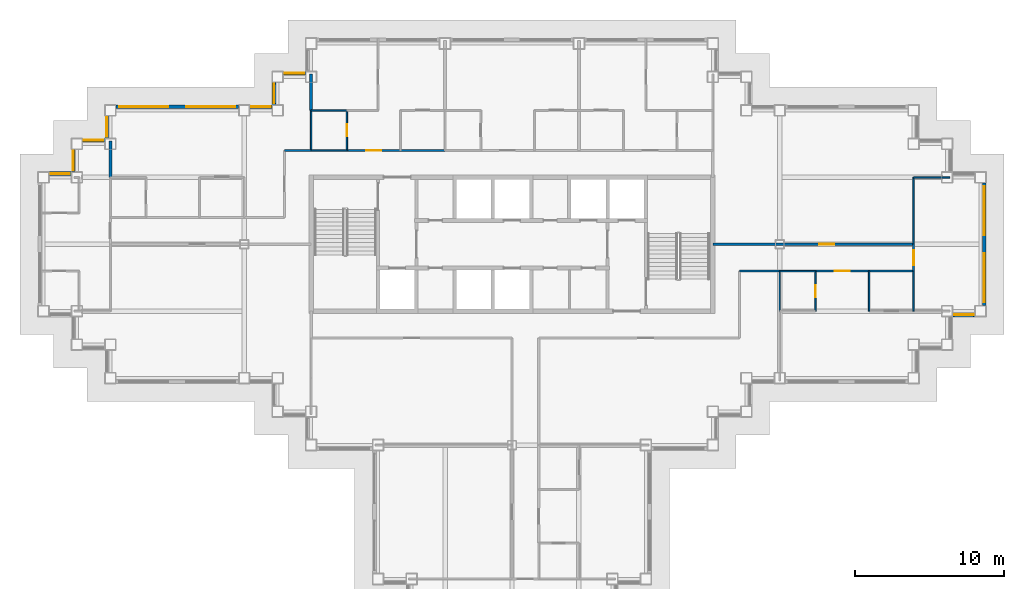
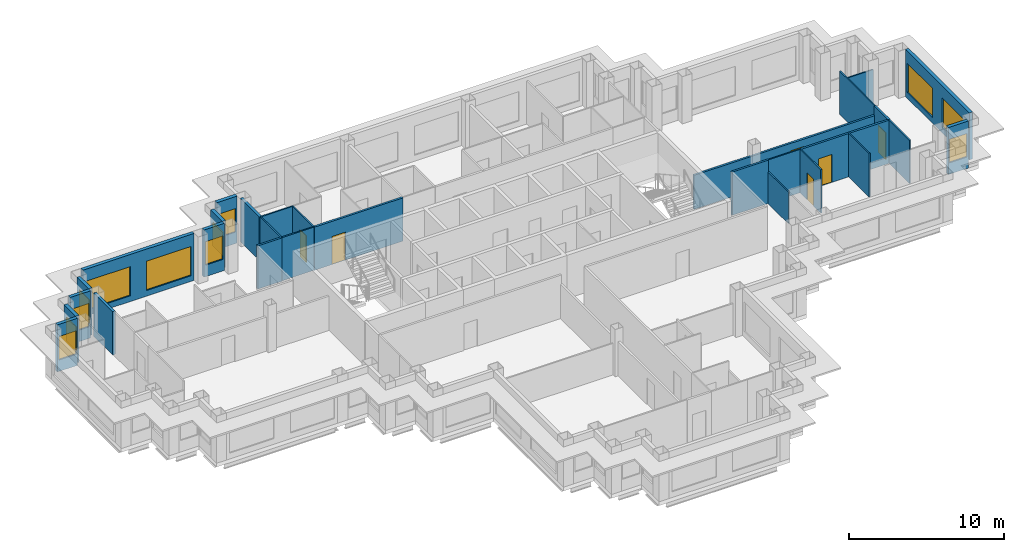
# One storey, part 7 of 13: 29 walls, 12 windows, 6 doors, 18 openings.
"""IFC4 building model written with IfcOpenShell, lengths in metres."""

from ifc_helpers import new_model, si_unit, direction, frame, frame_2d, origin, place, context, subcontext, project, spatial, rectangle, extrude, material, layer, layer_set, type_object, element, fill, save


model = new_model("IFC4")

# Units and contexts
model_context = context("Model", 3, precision=1e-05, world=origin(), true_north=direction((0.0, 1.0)))
body_context = subcontext(model_context, "Body", "Model", "MODEL_VIEW")
ifc_project = project(units=[si_unit("LENGTHUNIT", "METRE"), si_unit("AREAUNIT", "SQUARE_METRE"), si_unit("VOLUMEUNIT", "CUBIC_METRE"), si_unit("PLANEANGLEUNIT", "RADIAN"), si_unit("MASSUNIT", "GRAM", prefix="KILO")], contexts=[model_context])

# Site, building, storey
site_placement = place(None, origin())
site = spatial("IfcSite", under=ifc_project, at=site_placement, CompositionType="ELEMENT")
building_placement = place(site_placement, origin())
building = spatial("IfcBuilding", under=site, at=building_placement, Name="Caravel Reach Hotel and Residences", CompositionType="ELEMENT")
storey_placement = place(building_placement, frame((0.0, 0.0, 180.199951171875)))
storey = spatial("IfcBuildingStorey", under=building, at=storey_placement, Name="L45", CompositionType="ELEMENT", Elevation=180.199951171875)

# Walls
ifc_material_1 = material(Name="Gypsum board on steel stud", Category="steel")
ifc_layer_1 = layer(ifc_material_1, 0.10009765625)
ifc_layer_set_1 = layer_set([ifc_layer_1], Name="Bathroom pod wall 100 mm")
wall_type_1 = type_object("IfcWallType", Name="Bathroom pod wall 100 mm", PredefinedType="PARTITIONING", material=ifc_layer_set_1)
for number, where, z_axis, x_axis, name in (
    (1, (49.5, 25.199951171875, 0.0), (0.0, 0.0, 1.0), (1.0, 0.0, 0.0), "L45 wall w073"),
    (2, (18.0, 33.300048828125, 0.0), (0.0, 0.0, 1.0), (1.0, 0.0, 0.0), "L45 wall w077"),
    (3, (18.0, 36.0, 0.0), (0.0, 0.0, 1.0), (1.0, 0.0, 0.0), "L45 wall w080"),
):
    element("IfcWall", number, at=place(storey_placement, frame(where, z_axis=z_axis, x_axis=x_axis)), inside=storey, type_object=wall_type_1, Name=name, PredefinedType="PARTITIONING", context=body_context, shape_type="SweptSolid", body=[
        extrude(rectangle(XDim=2.39990234375, YDim=0.10009765625, at=frame_2d((1.199951171875, 0.0))), origin(), (0.0, 0.0, 1.0), 3.400146484375),
    ])
wall_1_placement = place(storey_placement, frame((18.0, 33.301025390625, 0.0), z_axis=(0.0, 0.0, 1.0), x_axis=(0.0, 1.0, 0.0)))
element("IfcWall", 4, at=wall_1_placement, inside=storey, type_object=wall_type_1, Name="L45 wall w085", PredefinedType="PARTITIONING", context=body_context, shape_type="SweptSolid", body=[
    extrude(rectangle(XDim=2.698974609375, YDim=0.10009765625, at=frame_2d((1.349609375, 0.0))), origin(), (0.0, 0.0, 1.0), 3.400146484375),
])

# Wall, opening, door
wall_2_placement = place(storey_placement, frame((20.39990234375, 33.300048828125, 0.0), z_axis=(0.0, 0.0, 1.0), x_axis=(0.0, 1.0, 0.0)))
wall_2 = element("IfcWall", 5, at=wall_2_placement, inside=storey, type_object=wall_type_1, Name="L45 wall w087", PredefinedType="PARTITIONING", context=body_context, shape_type="SweptSolid", body=[
    extrude(rectangle(XDim=2.699951171875, YDim=0.10009765625, at=frame_2d((1.35009765625, 0.0))), origin(), (0.0, 0.0, 1.0), 3.400146484375),
])
opening_1_placement = place(wall_2_placement, frame((0.949951171875, 0.0, 0.0)))
opening_1 = element("IfcOpeningElement", 6, at=opening_1_placement, cuts=wall_2, Name="Opening D45-018", PredefinedType="OPENING", context=body_context, shape_type="SweptSolid", body=[
    extrude(rectangle(XDim=0.800048828125, YDim=2.10009765625, at=frame_2d((0.39990234375, 1.050048828125))), frame((0.0, 0.06005859375, 0.0), z_axis=(0.0, -1.0, 0.0), x_axis=(1.0, 0.0, 0.0)), (0.0, 0.0, 1.0), 0.1201171875),
])
ifc_material_2 = material(Name="Timber and steel door leaf", Category="steel")
door_type_1 = type_object("IfcDoorType", Name="Bathroom door 800 x 2100", OperationType="SINGLE_SWING_LEFT", PredefinedType="DOOR", material=ifc_material_2)
door_1_placement = place(opening_1_placement, origin())
door_1 = element("IfcDoor", 7, at=door_1_placement, inside=storey, type_object=door_type_1, Name="door D45-018", OperationType="SINGLE_SWING_LEFT", OverallHeight=2.10009765625, OverallWidth=0.800048828125, PredefinedType="DOOR", context=body_context, shape_type="SweptSolid", body=[
    extrude(rectangle(XDim=0.800048828125, YDim=2.10009765625, at=frame_2d((0.39990234375, 1.050048828125))), frame((0.0, 0.02490234375, 0.0), z_axis=(0.0, -1.0, 0.0), x_axis=(1.0, 0.0, 0.0)), (0.0, 0.0, 1.0), 0.050048828125),
])
fill(opening_1, door_1)

# Wall
wall_3_placement = place(storey_placement, frame((49.5, 22.5, 0.0), z_axis=(0.0, 0.0, 1.0), x_axis=(0.0, 1.0, 0.0)))
element("IfcWall", 8, at=wall_3_placement, inside=storey, type_object=wall_type_1, Name="L45 wall w095", PredefinedType="PARTITIONING", context=body_context, shape_type="SweptSolid", body=[
    extrude(rectangle(XDim=2.698974609375, YDim=0.10009765625, at=frame_2d((1.349609375, 0.0))), origin(), (0.0, 0.0, 1.0), 2.47998046875),
])

# Wall, opening, door
wall_4_placement = place(storey_placement, frame((51.89990234375, 22.5, 0.0), z_axis=(0.0, 0.0, 1.0), x_axis=(0.0, 1.0, 0.0)))
wall_4 = element("IfcWall", 9, at=wall_4_placement, inside=storey, type_object=wall_type_1, Name="L45 wall w096", PredefinedType="PARTITIONING", context=body_context, shape_type="SweptSolid", body=[
    extrude(rectangle(XDim=2.699951171875, YDim=0.10009765625, at=frame_2d((1.35009765625, 0.0))), origin(), (0.0, 0.0, 1.0), 3.400146484375),
])
opening_2_placement = place(wall_4_placement, frame((0.949951171875, 0.0, 0.0)))
opening_2 = element("IfcOpeningElement", 10, at=opening_2_placement, cuts=wall_4, Name="Opening D45-034", PredefinedType="OPENING", context=body_context, shape_type="SweptSolid", body=[
    extrude(rectangle(XDim=0.800048828125, YDim=2.10009765625, at=frame_2d((0.39990234375, 1.050048828125))), frame((0.0, 0.06005859375, 0.0), z_axis=(0.0, -1.0, 0.0), x_axis=(1.0, 0.0, 0.0)), (0.0, 0.0, 1.0), 0.1201171875),
])
door_2_placement = place(opening_2_placement, origin())
door_2 = element("IfcDoor", 11, at=door_2_placement, inside=storey, type_object=door_type_1, Name="door D45-034", OperationType="SINGLE_SWING_LEFT", OverallHeight=2.10009765625, OverallWidth=0.800048828125, PredefinedType="DOOR", context=body_context, shape_type="SweptSolid", body=[
    extrude(rectangle(XDim=0.800048828125, YDim=2.10009765625, at=frame_2d((0.39990234375, 1.050048828125))), frame((0.0, 0.02490234375, 0.0), z_axis=(0.0, -1.0, 0.0), x_axis=(1.0, 0.0, 0.0)), (0.0, 0.0, 1.0), 0.050048828125),
])
fill(opening_2, door_2)

ifc_material_3 = material(Name="Gypsum board on steel stud, fire-rated", Category="steel")
ifc_layer_2 = layer(ifc_material_3, 0.14990234375)
ifc_layer_set_2 = layer_set([ifc_layer_2], Name="Corridor wall 150 mm EI 60")
wall_type_2 = type_object("IfcWallType", Name="Corridor wall 150 mm EI 60", PredefinedType="PARTITIONING", material=ifc_layer_set_2)
wall_5_placement = place(storey_placement, frame((51.89990234375, 25.199951171875, 0.0), z_axis=(0.0, 0.0, 1.0), x_axis=(1.0, 0.0, 0.0)))
wall_5 = element("IfcWall", 12, at=wall_5_placement, inside=storey, type_object=wall_type_2, Name="L45 wall w005", PredefinedType="PARTITIONING", context=body_context, shape_type="SweptSolid", body=[
    extrude(rectangle(XDim=6.60009765625, YDim=0.14990234375, at=frame_2d((3.300048828125, 0.0))), origin(), (0.0, 0.0, 1.0), 3.400146484375),
])
opening_3_placement = place(wall_5_placement, frame((1.300048828125, 0.0, 0.0)))
opening_3 = element("IfcOpeningElement", 13, at=opening_3_placement, cuts=wall_5, Name="Opening D45-033", PredefinedType="OPENING", context=body_context, shape_type="SweptSolid", body=[
    extrude(rectangle(XDim=1.0, YDim=2.199951171875, at=frame_2d((0.5, 1.10009765625))), frame((0.0, 0.0849609375, 0.0), z_axis=(0.0, -1.0, 0.0), x_axis=(1.0, 0.0, 0.0)), (0.0, 0.0, 1.0), 0.169921875),
])
ifc_material_4 = material(Name="Steel fire door leaf", Category="steel")
door_type_2 = type_object("IfcDoorType", Name="Flat entrance door 1000 x 2200 EI 60", OperationType="SINGLE_SWING_LEFT", PredefinedType="DOOR", material=ifc_material_4)
door_3_placement = place(opening_3_placement, origin())
door_3 = element("IfcDoor", 14, at=door_3_placement, inside=storey, type_object=door_type_2, Name="door D45-033", OperationType="SINGLE_SWING_LEFT", OverallHeight=2.199951171875, OverallWidth=1.0, PredefinedType="DOOR", context=body_context, shape_type="SweptSolid", body=[
    extrude(rectangle(XDim=1.0, YDim=2.199951171875, at=frame_2d((0.5, 1.10009765625))), frame((0.0, 0.02490234375, 0.0), z_axis=(0.0, -1.0, 0.0), x_axis=(1.0, 0.0, 0.0)), (0.0, 0.0, 1.0), 0.050048828125),
])
fill(opening_3, door_3)

# Wall
wall_6_placement = place(storey_placement, frame((46.801025390625, 25.199951171875, 0.0), z_axis=(0.0, 0.0, 1.0), x_axis=(1.0, 0.0, 0.0)))
element("IfcWall", 15, at=wall_6_placement, inside=storey, type_object=wall_type_2, Name="L45 wall w007", PredefinedType="PARTITIONING", context=body_context, shape_type="SweptSolid", body=[
    extrude(rectangle(XDim=2.697998046875, YDim=0.14990234375, at=frame_2d((1.34912109375, 0.0))), origin(), (0.0, 0.0, 1.0), 3.400146484375),
])

# Wall, opening, door
wall_7_placement = place(storey_placement, frame((45.0, 27.0, 0.0), z_axis=(0.0, 0.0, 1.0), x_axis=(1.0, 0.0, 0.0)))
wall_7 = element("IfcWall", 16, at=wall_7_placement, inside=storey, type_object=wall_type_2, Name="L45 wall w009", PredefinedType="PARTITIONING", context=body_context, shape_type="SweptSolid", body=[
    extrude(rectangle(XDim=13.5, YDim=0.14990234375, at=frame_2d((6.75, 0.0))), origin(), (0.0, 0.0, 1.0), 2.679931640625),
])
opening_4_placement = place(wall_7_placement, frame((7.14990234375, 0.0, 0.0)))
opening_4 = element("IfcOpeningElement", 17, at=opening_4_placement, cuts=wall_7, Name="Opening D45-032", PredefinedType="OPENING", context=body_context, shape_type="SweptSolid", body=[
    extrude(rectangle(XDim=1.0, YDim=2.10009765625, at=frame_2d((0.5, 1.050048828125))), frame((0.0, 0.0849609375, 0.0), z_axis=(0.0, -1.0, 0.0), x_axis=(1.0, 0.0, 0.0)), (0.0, 0.0, 1.0), 0.169921875),
])
ifc_material_5 = material(Name="Steel fire door leaf", Category="steel")
door_type_3 = type_object("IfcDoorType", Name="Fire door 1000 x 2100 EI 60", OperationType="SINGLE_SWING_LEFT", PredefinedType="DOOR", material=ifc_material_5)
door_4_placement = place(opening_4_placement, origin())
door_4 = element("IfcDoor", 18, at=door_4_placement, inside=storey, type_object=door_type_3, Name="door D45-032", OperationType="SINGLE_SWING_RIGHT", OverallHeight=2.10009765625, OverallWidth=1.0, PredefinedType="DOOR", context=body_context, shape_type="SweptSolid", body=[
    extrude(rectangle(XDim=1.0, YDim=2.10009765625, at=frame_2d((0.5, 1.050048828125))), frame((0.0, 0.02490234375, 0.0), z_axis=(0.0, -1.0, 0.0), x_axis=(1.0, 0.0, 0.0)), (0.0, 0.0, 1.0), 0.050048828125),
])
fill(opening_4, door_4)

wall_8_placement = place(storey_placement, frame((20.39990234375, 33.300048828125, 0.0), z_axis=(0.0, 0.0, 1.0), x_axis=(1.0, 0.0, 0.0)))
wall_8 = element("IfcWall", 19, at=wall_8_placement, inside=storey, type_object=wall_type_2, Name="L45 wall w013", PredefinedType="PARTITIONING", context=body_context, shape_type="SweptSolid", body=[
    extrude(rectangle(XDim=6.60009765625, YDim=0.14990234375, at=frame_2d((3.300048828125, 0.0))), origin(), (0.0, 0.0, 1.0), 3.400146484375),
])
opening_5_placement = place(wall_8_placement, frame((1.300048828125, 0.0, 0.0)))
opening_5 = element("IfcOpeningElement", 20, at=opening_5_placement, cuts=wall_8, Name="Opening D45-017", PredefinedType="OPENING", context=body_context, shape_type="SweptSolid", body=[
    extrude(rectangle(XDim=1.0, YDim=2.199951171875, at=frame_2d((0.5, 1.10009765625))), frame((0.0, 0.0849609375, 0.0), z_axis=(0.0, -1.0, 0.0), x_axis=(1.0, 0.0, 0.0)), (0.0, 0.0, 1.0), 0.169921875),
])
door_5_placement = place(opening_5_placement, origin())
door_5 = element("IfcDoor", 21, at=door_5_placement, inside=storey, type_object=door_type_2, Name="door D45-017", OperationType="SINGLE_SWING_RIGHT", OverallHeight=2.199951171875, OverallWidth=1.0, PredefinedType="DOOR", context=body_context, shape_type="SweptSolid", body=[
    extrude(rectangle(XDim=1.0, YDim=2.199951171875, at=frame_2d((0.5, 1.10009765625))), frame((0.0, 0.02490234375, 0.0), z_axis=(0.0, -1.0, 0.0), x_axis=(1.0, 0.0, 0.0)), (0.0, 0.0, 1.0), 0.050048828125),
])
fill(opening_5, door_5)

# Wall
wall_9_placement = place(storey_placement, frame((16.199951171875, 33.300048828125, 0.0), z_axis=(0.0, 0.0, 1.0), x_axis=(1.0, 0.0, 0.0)))
element("IfcWall", 22, at=wall_9_placement, inside=storey, type_object=wall_type_2, Name="L45 wall w019", PredefinedType="PARTITIONING", context=body_context, shape_type="SweptSolid", body=[
    extrude(rectangle(XDim=1.799072265625, YDim=0.14990234375, at=frame_2d((0.8994140625, 0.0))), origin(), (0.0, 0.0, 1.0), 3.400146484375),
])

# Wall, opening, door
wall_10_placement = place(storey_placement, frame((58.5, 25.199951171875, 0.0), z_axis=(0.0, 0.0, 1.0), x_axis=(0.0, 1.0, 0.0)))
wall_10 = element("IfcWall", 23, at=wall_10_placement, inside=storey, type_object=wall_type_2, Name="L45 wall w031", PredefinedType="PARTITIONING", context=body_context, shape_type="SweptSolid", body=[
    extrude(rectangle(XDim=1.800048828125, YDim=0.14990234375, at=frame_2d((0.89990234375, 0.0))), origin(), (0.0, 0.0, 1.0), 3.400146484375),
])
opening_6_placement = place(wall_10_placement, frame((0.39990234375, 0.0, 0.0)))
opening_6 = element("IfcOpeningElement", 24, at=opening_6_placement, cuts=wall_10, Name="Opening D45-045", PredefinedType="OPENING", context=body_context, shape_type="SweptSolid", body=[
    extrude(rectangle(XDim=1.0, YDim=2.10009765625, at=frame_2d((0.5, 1.050048828125))), frame((0.0, 0.0849609375, 0.0), z_axis=(0.0, -1.0, 0.0), x_axis=(1.0, 0.0, 0.0)), (0.0, 0.0, 1.0), 0.169921875),
])
door_6_placement = place(opening_6_placement, origin())
door_6 = element("IfcDoor", 25, at=door_6_placement, inside=storey, type_object=door_type_3, Name="door D45-045", OperationType="SINGLE_SWING_RIGHT", OverallHeight=2.10009765625, OverallWidth=1.0, PredefinedType="DOOR", context=body_context, shape_type="SweptSolid", body=[
    extrude(rectangle(XDim=1.0, YDim=2.10009765625, at=frame_2d((0.5, 1.050048828125))), frame((0.0, 0.02490234375, 0.0), z_axis=(0.0, -1.0, 0.0), x_axis=(1.0, 0.0, 0.0)), (0.0, 0.0, 1.0), 0.050048828125),
])
fill(opening_6, door_6)

# Wall, opening, window
ifc_material_6 = material(Name="Insulated rainscreen wall, aluminium cladding", Category="aluminium")
ifc_layer_3 = layer(ifc_material_6, 0.25)
ifc_layer_set_3 = layer_set([ifc_layer_3], Name="EW1 Tower rainscreen wall")
wall_type_3 = type_object("IfcWallType", Name="EW1 Tower rainscreen wall", PredefinedType="SOLIDWALL", material=ifc_layer_set_3)
wall_11_placement = place(storey_placement, frame((61.125, 22.25, 0.0), z_axis=(0.0, 0.0, 1.0), x_axis=(1.0, 0.0, 0.0)))
wall_11 = element("IfcWall", 26, at=wall_11_placement, inside=storey, type_object=wall_type_3, Name="External wall L45 S19.1", PredefinedType="SOLIDWALL", context=body_context, shape_type="SweptSolid", body=[
    extrude(rectangle(XDim=1.5, YDim=0.25, at=frame_2d((0.75, 0.0))), origin(), (0.0, 0.0, 1.0), 3.699951171875),
])
opening_7_placement = place(wall_11_placement, frame((0.10009765625, 0.0, 0.89990234375)))
opening_7 = element("IfcOpeningElement", 27, at=opening_7_placement, cuts=wall_11, Name="Opening WN16", PredefinedType="OPENING", context=body_context, shape_type="SweptSolid", body=[
    extrude(rectangle(XDim=1.300048828125, YDim=1.85009765625, at=frame_2d((0.64990234375, 0.925048828125))), frame((0.0, 0.135009765625, 0.0), z_axis=(0.0, -1.0, 0.0), x_axis=(1.0, 0.0, 0.0)), (0.0, 0.0, 1.0), 0.27001953125),
])
ifc_material_7 = material(Name="Dark low-e glazing in black aluminium frame", Category="aluminium")
window_type_1 = type_object("IfcWindowType", Name="Residence bedroom window 1300 x 1850", PartitioningType="SINGLE_PANEL", PredefinedType="WINDOW", material=ifc_material_7)
window_1_placement = place(opening_7_placement, origin())
window_1 = element("IfcWindow", 28, at=window_1_placement, inside=storey, type_object=window_type_1, Name="Window L45 S19.1.1", OverallHeight=1.85009765625, OverallWidth=1.300048828125, PartitioningType="SINGLE_PANEL", PredefinedType="WINDOW", context=body_context, shape_type="SweptSolid", body=[
    extrude(rectangle(XDim=1.300048828125, YDim=1.85009765625, at=frame_2d((0.64990234375, 0.925048828125))), frame((0.0, 0.030029296875, 0.0), z_axis=(0.0, -1.0, 0.0), x_axis=(1.0, 0.0, 0.0)), (0.0, 0.0, 1.0), 0.06005859375),
])
fill(opening_7, window_1)

# Wall, openings, windows
wall_12_placement = place(storey_placement, frame((63.25, 22.875, 0.0), z_axis=(0.0, 0.0, 1.0), x_axis=(0.0, 1.0, 0.0)))
wall_12 = element("IfcWall", 29, at=wall_12_placement, inside=storey, type_object=wall_type_3, Name="External wall L45 E20.1", PredefinedType="SOLIDWALL", context=body_context, shape_type="SweptSolid", body=[
    extrude(rectangle(XDim=8.25, YDim=0.25, at=frame_2d((4.125, 0.0))), origin(), (0.0, 0.0, 1.0), 3.699951171875),
])
opening_8_placement = place(wall_12_placement, frame((0.22509765625, 0.0, 0.449951171875)))
opening_8 = element("IfcOpeningElement", 30, at=opening_8_placement, cuts=wall_12, Name="Opening WN15", PredefinedType="OPENING", context=body_context, shape_type="SweptSolid", body=[
    extrude(rectangle(XDim=3.300048828125, YDim=2.300048828125, at=frame_2d((1.64990234375, 1.14990234375))), frame((0.0, 0.135009765625, 0.0), z_axis=(0.0, -1.0, 0.0), x_axis=(1.0, 0.0, 0.0)), (0.0, 0.0, 1.0), 0.27001953125),
])
opening_9_placement = place(wall_12_placement, frame((4.72509765625, 0.0, 0.449951171875)))
opening_9 = element("IfcOpeningElement", 31, at=opening_9_placement, cuts=wall_12, Name="Opening WN15", PredefinedType="OPENING", context=body_context, shape_type="SweptSolid", body=[
    extrude(rectangle(XDim=3.300048828125, YDim=2.300048828125, at=frame_2d((1.64990234375, 1.14990234375))), frame((0.0, 0.135009765625, 0.0), z_axis=(0.0, -1.0, 0.0), x_axis=(1.0, 0.0, 0.0)), (0.0, 0.0, 1.0), 0.27001953125),
])
ifc_material_8 = material(Name="Dark low-e glazing in black aluminium frame", Category="aluminium")
window_type_2 = type_object("IfcWindowType", Name="Residence living window 3300 x 2300", PartitioningType="SINGLE_PANEL", PredefinedType="WINDOW", material=ifc_material_8)
window_2_placement = place(opening_8_placement, origin())
window_2 = element("IfcWindow", 32, at=window_2_placement, inside=storey, type_object=window_type_2, Name="Window L45 E20.1.1", OverallHeight=2.300048828125, OverallWidth=3.300048828125, PartitioningType="SINGLE_PANEL", PredefinedType="WINDOW", context=body_context, shape_type="SweptSolid", body=[
    extrude(rectangle(XDim=3.300048828125, YDim=2.300048828125, at=frame_2d((1.64990234375, 1.14990234375))), frame((0.0, 0.030029296875, 0.0), z_axis=(0.0, -1.0, 0.0), x_axis=(1.0, 0.0, 0.0)), (0.0, 0.0, 1.0), 0.06005859375),
])
fill(opening_8, window_2)
window_3_placement = place(opening_9_placement, origin())
window_3 = element("IfcWindow", 33, at=window_3_placement, inside=storey, type_object=window_type_2, Name="Window L45 E20.1.2", OverallHeight=2.300048828125, OverallWidth=3.300048828125, PartitioningType="SINGLE_PANEL", PredefinedType="WINDOW", context=body_context, shape_type="SweptSolid", body=[
    extrude(rectangle(XDim=3.300048828125, YDim=2.300048828125, at=frame_2d((1.64990234375, 1.14990234375))), frame((0.0, 0.030029296875, 0.0), z_axis=(0.0, -1.0, 0.0), x_axis=(1.0, 0.0, 0.0)), (0.0, 0.0, 1.0), 0.06005859375),
])
fill(opening_9, window_3)

# Wall, opening, window
wall_13_placement = place(storey_placement, frame((17.625, 38.5, 0.0), z_axis=(0.0, 0.0, 1.0), x_axis=(-1.0, 0.0, 0.0)))
wall_13 = element("IfcWall", 34, at=wall_13_placement, inside=storey, type_object=wall_type_3, Name="External wall L45 N31.1", PredefinedType="SOLIDWALL", context=body_context, shape_type="SweptSolid", body=[
    extrude(rectangle(XDim=1.5, YDim=0.25, at=frame_2d((0.75, 0.0))), origin(), (0.0, 0.0, 1.0), 3.699951171875),
])
opening_10_placement = place(wall_13_placement, frame((0.10009765625, 0.0, 0.89990234375)))
opening_10 = element("IfcOpeningElement", 35, at=opening_10_placement, cuts=wall_13, Name="Opening WN16", PredefinedType="OPENING", context=body_context, shape_type="SweptSolid", body=[
    extrude(rectangle(XDim=1.300048828125, YDim=1.85009765625, at=frame_2d((0.64990234375, 0.925048828125))), frame((0.0, 0.135009765625, 0.0), z_axis=(0.0, -1.0, 0.0), x_axis=(1.0, 0.0, 0.0)), (0.0, 0.0, 1.0), 0.27001953125),
])
window_4_placement = place(opening_10_placement, origin())
window_4 = element("IfcWindow", 36, at=window_4_placement, inside=storey, type_object=window_type_1, Name="Window L45 N31.1.1", OverallHeight=1.85009765625, OverallWidth=1.300048828125, PartitioningType="SINGLE_PANEL", PredefinedType="WINDOW", context=body_context, shape_type="SweptSolid", body=[
    extrude(rectangle(XDim=1.300048828125, YDim=1.85009765625, at=frame_2d((0.64990234375, 0.925048828125))), frame((0.0, 0.030029296875, 0.0), z_axis=(0.0, -1.0, 0.0), x_axis=(1.0, 0.0, 0.0)), (0.0, 0.0, 1.0), 0.06005859375),
])
fill(opening_10, window_4)

wall_14_placement = place(storey_placement, frame((15.5, 37.875, 0.0), z_axis=(0.0, 0.0, 1.0), x_axis=(0.0, -1.0, 0.0)))
wall_14 = element("IfcWall", 37, at=wall_14_placement, inside=storey, type_object=wall_type_3, Name="External wall L45 W32.1", PredefinedType="SOLIDWALL", context=body_context, shape_type="SweptSolid", body=[
    extrude(rectangle(XDim=1.5, YDim=0.25, at=frame_2d((0.75, 0.0))), origin(), (0.0, 0.0, 1.0), 3.699951171875),
])
opening_11_placement = place(wall_14_placement, frame((0.10009765625, 0.0, 0.89990234375)))
opening_11 = element("IfcOpeningElement", 38, at=opening_11_placement, cuts=wall_14, Name="Opening WN16", PredefinedType="OPENING", context=body_context, shape_type="SweptSolid", body=[
    extrude(rectangle(XDim=1.300048828125, YDim=1.85009765625, at=frame_2d((0.64990234375, 0.925048828125))), frame((0.0, 0.135009765625, 0.0), z_axis=(0.0, -1.0, 0.0), x_axis=(1.0, 0.0, 0.0)), (0.0, 0.0, 1.0), 0.27001953125),
])
window_5_placement = place(opening_11_placement, origin())
window_5 = element("IfcWindow", 39, at=window_5_placement, inside=storey, type_object=window_type_1, Name="Window L45 W32.1.1", OverallHeight=1.85009765625, OverallWidth=1.300048828125, PartitioningType="SINGLE_PANEL", PredefinedType="WINDOW", context=body_context, shape_type="SweptSolid", body=[
    extrude(rectangle(XDim=1.300048828125, YDim=1.85009765625, at=frame_2d((0.64990234375, 0.925048828125))), frame((0.0, 0.030029296875, 0.0), z_axis=(0.0, -1.0, 0.0), x_axis=(1.0, 0.0, 0.0)), (0.0, 0.0, 1.0), 0.06005859375),
])
fill(opening_11, window_5)

wall_15_placement = place(storey_placement, frame((15.375, 36.25, 0.0), z_axis=(0.0, 0.0, 1.0), x_axis=(-1.0, 0.0, 0.0)))
wall_15 = element("IfcWall", 40, at=wall_15_placement, inside=storey, type_object=wall_type_3, Name="External wall L45 N33.1", PredefinedType="SOLIDWALL", context=body_context, shape_type="SweptSolid", body=[
    extrude(rectangle(XDim=1.5, YDim=0.25, at=frame_2d((0.75, 0.0))), origin(), (0.0, 0.0, 1.0), 3.699951171875),
])
opening_12_placement = place(wall_15_placement, frame((0.10009765625, 0.0, 0.89990234375)))
opening_12 = element("IfcOpeningElement", 41, at=opening_12_placement, cuts=wall_15, Name="Opening WN16", PredefinedType="OPENING", context=body_context, shape_type="SweptSolid", body=[
    extrude(rectangle(XDim=1.300048828125, YDim=1.85009765625, at=frame_2d((0.64990234375, 0.925048828125))), frame((0.0, 0.135009765625, 0.0), z_axis=(0.0, -1.0, 0.0), x_axis=(1.0, 0.0, 0.0)), (0.0, 0.0, 1.0), 0.27001953125),
])
window_6_placement = place(opening_12_placement, origin())
window_6 = element("IfcWindow", 42, at=window_6_placement, inside=storey, type_object=window_type_1, Name="Window L45 N33.1.1", OverallHeight=1.85009765625, OverallWidth=1.300048828125, PartitioningType="SINGLE_PANEL", PredefinedType="WINDOW", context=body_context, shape_type="SweptSolid", body=[
    extrude(rectangle(XDim=1.300048828125, YDim=1.85009765625, at=frame_2d((0.64990234375, 0.925048828125))), frame((0.0, 0.030029296875, 0.0), z_axis=(0.0, -1.0, 0.0), x_axis=(1.0, 0.0, 0.0)), (0.0, 0.0, 1.0), 0.06005859375),
])
fill(opening_12, window_6)

# Wall, openings, windows
wall_16_placement = place(storey_placement, frame((13.125, 36.25, 0.0), z_axis=(0.0, 0.0, 1.0), x_axis=(-1.0, 0.0, 0.0)))
wall_16 = element("IfcWall", 43, at=wall_16_placement, inside=storey, type_object=wall_type_3, Name="External wall L45 N33.2", PredefinedType="SOLIDWALL", context=body_context, shape_type="SweptSolid", body=[
    extrude(rectangle(XDim=8.25, YDim=0.25, at=frame_2d((4.125, 0.0))), origin(), (0.0, 0.0, 1.0), 3.699951171875),
])
opening_13_placement = place(wall_16_placement, frame((0.22509765625, 0.0, 0.449951171875)))
opening_13 = element("IfcOpeningElement", 44, at=opening_13_placement, cuts=wall_16, Name="Opening WN15", PredefinedType="OPENING", context=body_context, shape_type="SweptSolid", body=[
    extrude(rectangle(XDim=3.300048828125, YDim=2.300048828125, at=frame_2d((1.64990234375, 1.14990234375))), frame((0.0, 0.135009765625, 0.0), z_axis=(0.0, -1.0, 0.0), x_axis=(1.0, 0.0, 0.0)), (0.0, 0.0, 1.0), 0.27001953125),
])
opening_14_placement = place(wall_16_placement, frame((4.72509765625, 0.0, 0.449951171875)))
opening_14 = element("IfcOpeningElement", 45, at=opening_14_placement, cuts=wall_16, Name="Opening WN15", PredefinedType="OPENING", context=body_context, shape_type="SweptSolid", body=[
    extrude(rectangle(XDim=3.300048828125, YDim=2.300048828125, at=frame_2d((1.64990234375, 1.14990234375))), frame((0.0, 0.135009765625, 0.0), z_axis=(0.0, -1.0, 0.0), x_axis=(1.0, 0.0, 0.0)), (0.0, 0.0, 1.0), 0.27001953125),
])
window_7_placement = place(opening_13_placement, origin())
window_7 = element("IfcWindow", 46, at=window_7_placement, inside=storey, type_object=window_type_2, Name="Window L45 N33.2.1", OverallHeight=2.300048828125, OverallWidth=3.300048828125, PartitioningType="SINGLE_PANEL", PredefinedType="WINDOW", context=body_context, shape_type="SweptSolid", body=[
    extrude(rectangle(XDim=3.300048828125, YDim=2.300048828125, at=frame_2d((1.64990234375, 1.14990234375))), frame((0.0, 0.030029296875, 0.0), z_axis=(0.0, -1.0, 0.0), x_axis=(1.0, 0.0, 0.0)), (0.0, 0.0, 1.0), 0.06005859375),
])
fill(opening_13, window_7)
window_8_placement = place(opening_14_placement, origin())
window_8 = element("IfcWindow", 47, at=window_8_placement, inside=storey, type_object=window_type_2, Name="Window L45 N33.2.2", OverallHeight=2.300048828125, OverallWidth=3.300048828125, PartitioningType="SINGLE_PANEL", PredefinedType="WINDOW", context=body_context, shape_type="SweptSolid", body=[
    extrude(rectangle(XDim=3.300048828125, YDim=2.300048828125, at=frame_2d((1.64990234375, 1.14990234375))), frame((0.0, 0.030029296875, 0.0), z_axis=(0.0, -1.0, 0.0), x_axis=(1.0, 0.0, 0.0)), (0.0, 0.0, 1.0), 0.06005859375),
])
fill(opening_14, window_8)

# Wall, opening, window
wall_17_placement = place(storey_placement, frame((4.25, 35.625, 0.0), z_axis=(0.0, 0.0, 1.0), x_axis=(0.0, -1.0, 0.0)))
wall_17 = element("IfcWall", 48, at=wall_17_placement, inside=storey, type_object=wall_type_3, Name="External wall L45 W34.1", PredefinedType="SOLIDWALL", context=body_context, shape_type="SweptSolid", body=[
    extrude(rectangle(XDim=1.5, YDim=0.25, at=frame_2d((0.75, 0.0))), origin(), (0.0, 0.0, 1.0), 3.699951171875),
])
opening_15_placement = place(wall_17_placement, frame((0.10009765625, 0.0, 0.89990234375)))
opening_15 = element("IfcOpeningElement", 49, at=opening_15_placement, cuts=wall_17, Name="Opening WN16", PredefinedType="OPENING", context=body_context, shape_type="SweptSolid", body=[
    extrude(rectangle(XDim=1.300048828125, YDim=1.85009765625, at=frame_2d((0.64990234375, 0.925048828125))), frame((0.0, 0.135009765625, 0.0), z_axis=(0.0, -1.0, 0.0), x_axis=(1.0, 0.0, 0.0)), (0.0, 0.0, 1.0), 0.27001953125),
])
window_9_placement = place(opening_15_placement, origin())
window_9 = element("IfcWindow", 50, at=window_9_placement, inside=storey, type_object=window_type_1, Name="Window L45 W34.1.1", OverallHeight=1.85009765625, OverallWidth=1.300048828125, PartitioningType="SINGLE_PANEL", PredefinedType="WINDOW", context=body_context, shape_type="SweptSolid", body=[
    extrude(rectangle(XDim=1.300048828125, YDim=1.85009765625, at=frame_2d((0.64990234375, 0.925048828125))), frame((0.0, 0.030029296875, 0.0), z_axis=(0.0, -1.0, 0.0), x_axis=(1.0, 0.0, 0.0)), (0.0, 0.0, 1.0), 0.06005859375),
])
fill(opening_15, window_9)

wall_18_placement = place(storey_placement, frame((4.125, 34.0, 0.0), z_axis=(0.0, 0.0, 1.0), x_axis=(-1.0, 0.0, 0.0)))
wall_18 = element("IfcWall", 51, at=wall_18_placement, inside=storey, type_object=wall_type_3, Name="External wall L45 N35.1", PredefinedType="SOLIDWALL", context=body_context, shape_type="SweptSolid", body=[
    extrude(rectangle(XDim=1.5, YDim=0.25, at=frame_2d((0.75, 0.0))), origin(), (0.0, 0.0, 1.0), 3.699951171875),
])
opening_16_placement = place(wall_18_placement, frame((0.10009765625, 0.0, 0.89990234375)))
opening_16 = element("IfcOpeningElement", 52, at=opening_16_placement, cuts=wall_18, Name="Opening WN16", PredefinedType="OPENING", context=body_context, shape_type="SweptSolid", body=[
    extrude(rectangle(XDim=1.300048828125, YDim=1.85009765625, at=frame_2d((0.64990234375, 0.925048828125))), frame((0.0, 0.135009765625, 0.0), z_axis=(0.0, -1.0, 0.0), x_axis=(1.0, 0.0, 0.0)), (0.0, 0.0, 1.0), 0.27001953125),
])
window_10_placement = place(opening_16_placement, origin())
window_10 = element("IfcWindow", 53, at=window_10_placement, inside=storey, type_object=window_type_1, Name="Window L45 N35.1.1", OverallHeight=1.85009765625, OverallWidth=1.300048828125, PartitioningType="SINGLE_PANEL", PredefinedType="WINDOW", context=body_context, shape_type="SweptSolid", body=[
    extrude(rectangle(XDim=1.300048828125, YDim=1.85009765625, at=frame_2d((0.64990234375, 0.925048828125))), frame((0.0, 0.030029296875, 0.0), z_axis=(0.0, -1.0, 0.0), x_axis=(1.0, 0.0, 0.0)), (0.0, 0.0, 1.0), 0.06005859375),
])
fill(opening_16, window_10)

wall_19_placement = place(storey_placement, frame((2.0, 33.375, 0.0), z_axis=(0.0, 0.0, 1.0), x_axis=(0.0, -1.0, 0.0)))
wall_19 = element("IfcWall", 54, at=wall_19_placement, inside=storey, type_object=wall_type_3, Name="External wall L45 W36.1", PredefinedType="SOLIDWALL", context=body_context, shape_type="SweptSolid", body=[
    extrude(rectangle(XDim=1.5, YDim=0.25, at=frame_2d((0.75, 0.0))), origin(), (0.0, 0.0, 1.0), 3.699951171875),
])
opening_17_placement = place(wall_19_placement, frame((0.10009765625, 0.0, 0.89990234375)))
opening_17 = element("IfcOpeningElement", 55, at=opening_17_placement, cuts=wall_19, Name="Opening WN16", PredefinedType="OPENING", context=body_context, shape_type="SweptSolid", body=[
    extrude(rectangle(XDim=1.300048828125, YDim=1.85009765625, at=frame_2d((0.64990234375, 0.925048828125))), frame((0.0, 0.135009765625, 0.0), z_axis=(0.0, -1.0, 0.0), x_axis=(1.0, 0.0, 0.0)), (0.0, 0.0, 1.0), 0.27001953125),
])
window_11_placement = place(opening_17_placement, origin())
window_11 = element("IfcWindow", 56, at=window_11_placement, inside=storey, type_object=window_type_1, Name="Window L45 W36.1.1", OverallHeight=1.85009765625, OverallWidth=1.300048828125, PartitioningType="SINGLE_PANEL", PredefinedType="WINDOW", context=body_context, shape_type="SweptSolid", body=[
    extrude(rectangle(XDim=1.300048828125, YDim=1.85009765625, at=frame_2d((0.64990234375, 0.925048828125))), frame((0.0, 0.030029296875, 0.0), z_axis=(0.0, -1.0, 0.0), x_axis=(1.0, 0.0, 0.0)), (0.0, 0.0, 1.0), 0.06005859375),
])
fill(opening_17, window_11)

wall_20_placement = place(storey_placement, frame((1.875, 31.75, 0.0), z_axis=(0.0, 0.0, 1.0), x_axis=(-1.0, 0.0, 0.0)))
wall_20 = element("IfcWall", 57, at=wall_20_placement, inside=storey, type_object=wall_type_3, Name="External wall L45 N37.1", PredefinedType="SOLIDWALL", context=body_context, shape_type="SweptSolid", body=[
    extrude(rectangle(XDim=1.5, YDim=0.25, at=frame_2d((0.75, 0.0))), origin(), (0.0, 0.0, 1.0), 3.699951171875),
])
opening_18_placement = place(wall_20_placement, frame((0.10009765625, 0.0, 0.89990234375)))
opening_18 = element("IfcOpeningElement", 58, at=opening_18_placement, cuts=wall_20, Name="Opening WN16", PredefinedType="OPENING", context=body_context, shape_type="SweptSolid", body=[
    extrude(rectangle(XDim=1.300048828125, YDim=1.85009765625, at=frame_2d((0.64990234375, 0.925048828125))), frame((0.0, 0.135009765625, 0.0), z_axis=(0.0, -1.0, 0.0), x_axis=(1.0, 0.0, 0.0)), (0.0, 0.0, 1.0), 0.27001953125),
])
window_12_placement = place(opening_18_placement, origin())
window_12 = element("IfcWindow", 59, at=window_12_placement, inside=storey, type_object=window_type_1, Name="Window L45 N37.1.1", OverallHeight=1.85009765625, OverallWidth=1.300048828125, PartitioningType="SINGLE_PANEL", PredefinedType="WINDOW", context=body_context, shape_type="SweptSolid", body=[
    extrude(rectangle(XDim=1.300048828125, YDim=1.85009765625, at=frame_2d((0.64990234375, 0.925048828125))), frame((0.0, 0.030029296875, 0.0), z_axis=(0.0, -1.0, 0.0), x_axis=(1.0, 0.0, 0.0)), (0.0, 0.0, 1.0), 0.06005859375),
])
fill(opening_18, window_12)

# Walls
ifc_material_9 = material(Name="Gypsum board on steel stud", Category="steel")
ifc_layer_4 = layer(ifc_material_9, 0.10009765625)
ifc_layer_set_4 = layer_set([ifc_layer_4], Name="Partition 100 mm")
wall_type_4 = type_object("IfcWallType", Name="Partition 100 mm", PredefinedType="PARTITIONING", material=ifc_layer_set_4)
wall_21_placement = place(storey_placement, frame((58.5009765625, 31.5, 0.0), z_axis=(0.0, 0.0, 1.0), x_axis=(1.0, 0.0, 0.0)))
element("IfcWall", 60, at=wall_21_placement, inside=storey, type_object=wall_type_4, Name="L45 wall w040", PredefinedType="PARTITIONING", context=body_context, shape_type="SweptSolid", body=[
    extrude(rectangle(XDim=2.43896484375, YDim=0.10009765625, at=frame_2d((1.219482421875, 0.0))), origin(), (0.0, 0.0, 1.0), 2.679931640625),
])
wall_22_placement = place(storey_placement, frame((55.5, 22.5, 0.0), z_axis=(0.0, 0.0, 1.0), x_axis=(0.0, 1.0, 0.0)))
element("IfcWall", 61, at=wall_22_placement, inside=storey, type_object=wall_type_4, Name="L45 wall w064", PredefinedType="PARTITIONING", context=body_context, shape_type="SweptSolid", body=[
    extrude(rectangle(XDim=2.699951171875, YDim=0.10009765625, at=frame_2d((1.35009765625, 0.0))), origin(), (0.0, 0.0, 1.0), 3.400146484375),
])
wall_23_placement = place(storey_placement, frame((58.5, 27.0, 0.0), z_axis=(0.0, 0.0, 1.0), x_axis=(0.0, 1.0, 0.0)))
element("IfcWall", 62, at=wall_23_placement, inside=storey, type_object=wall_type_4, Name="L45 wall w065", PredefinedType="PARTITIONING", context=body_context, shape_type="SweptSolid", body=[
    extrude(rectangle(XDim=4.5, YDim=0.10009765625, at=frame_2d((2.25, 0.0))), origin(), (0.0, 0.0, 1.0), 3.400146484375),
])
wall_24_placement = place(storey_placement, frame((58.5, 22.5, 0.0), z_axis=(0.0, 0.0, 1.0), x_axis=(0.0, 1.0, 0.0)))
element("IfcWall", 63, at=wall_24_placement, inside=storey, type_object=wall_type_4, Name="L45 wall w066", PredefinedType="PARTITIONING", context=body_context, shape_type="SweptSolid", body=[
    extrude(rectangle(XDim=2.699951171875, YDim=0.10009765625, at=frame_2d((1.35009765625, 0.0))), origin(), (0.0, 0.0, 1.0), 3.400146484375),
])
ifc_material_10 = material(Name="Autoclaved aerated block wall")
ifc_layer_5 = layer(ifc_material_10, 0.199951171875)
ifc_layer_set_5 = layer_set([ifc_layer_5], Name="Party wall 200 mm EI 60")
wall_type_5 = type_object("IfcWallType", Name="Party wall 200 mm EI 60", PredefinedType="PARTITIONING", material=ifc_layer_set_5)
wall_25_placement = place(storey_placement, frame((18.0, 36.0, 0.0), z_axis=(0.0, 0.0, 1.0), x_axis=(0.0, 1.0, 0.0)))
element("IfcWall", 64, at=wall_25_placement, inside=storey, type_object=wall_type_5, Name="L45 wall w067", PredefinedType="PARTITIONING", context=body_context, shape_type="SweptSolid", body=[
    extrude(rectangle(XDim=2.43994140625, YDim=0.199951171875, at=frame_2d((1.219970703125, 0.0))), origin(), (0.0, 0.0, 1.0), 3.400146484375),
])
wall_26_placement = place(storey_placement, frame((4.5, 31.5009765625, 0.0), z_axis=(0.0, 0.0, 1.0), x_axis=(0.0, 1.0, 0.0)))
element("IfcWall", 65, at=wall_26_placement, inside=storey, type_object=wall_type_5, Name="L45 wall w071", PredefinedType="PARTITIONING", context=body_context, shape_type="SweptSolid", body=[
    extrude(rectangle(XDim=2.43896484375, YDim=0.199951171875, at=frame_2d((1.219482421875, 0.0))), origin(), (0.0, 0.0, 1.0), 3.400146484375),
])

save(model, "model.ifc")
